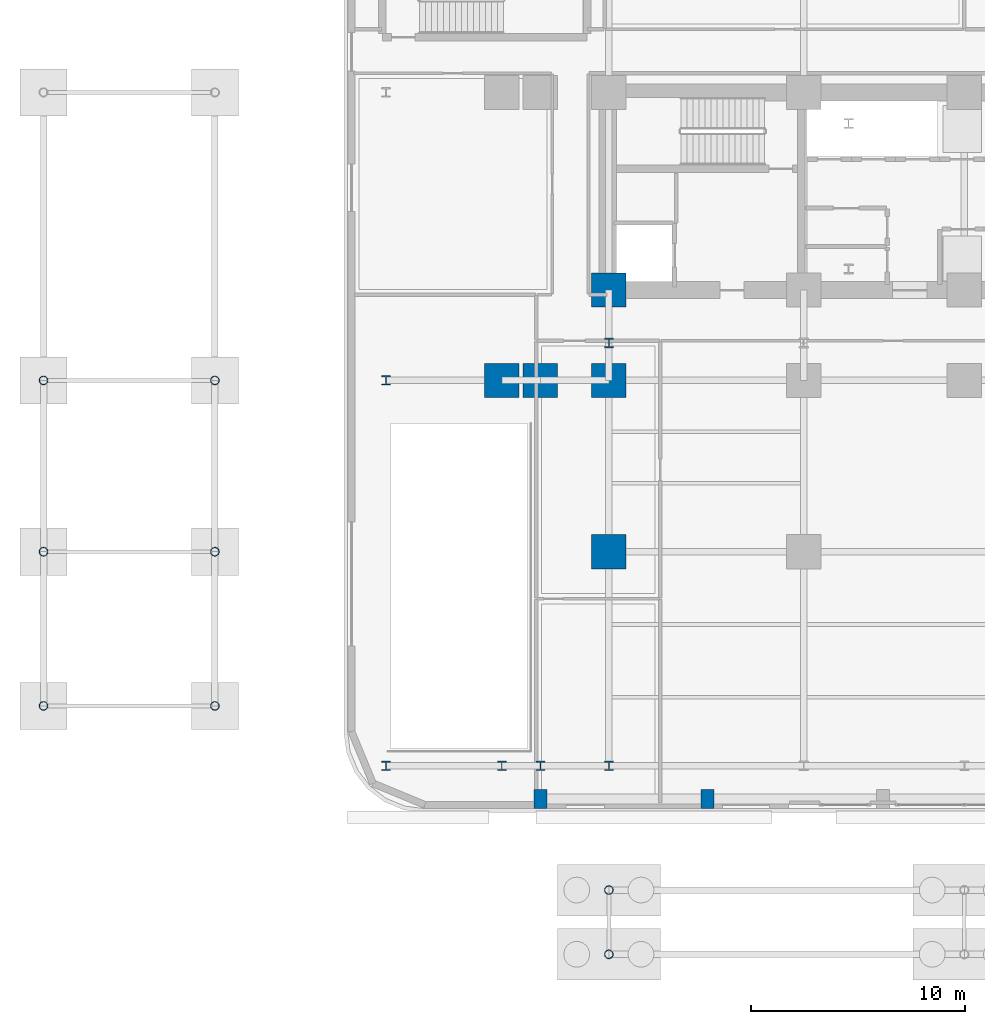
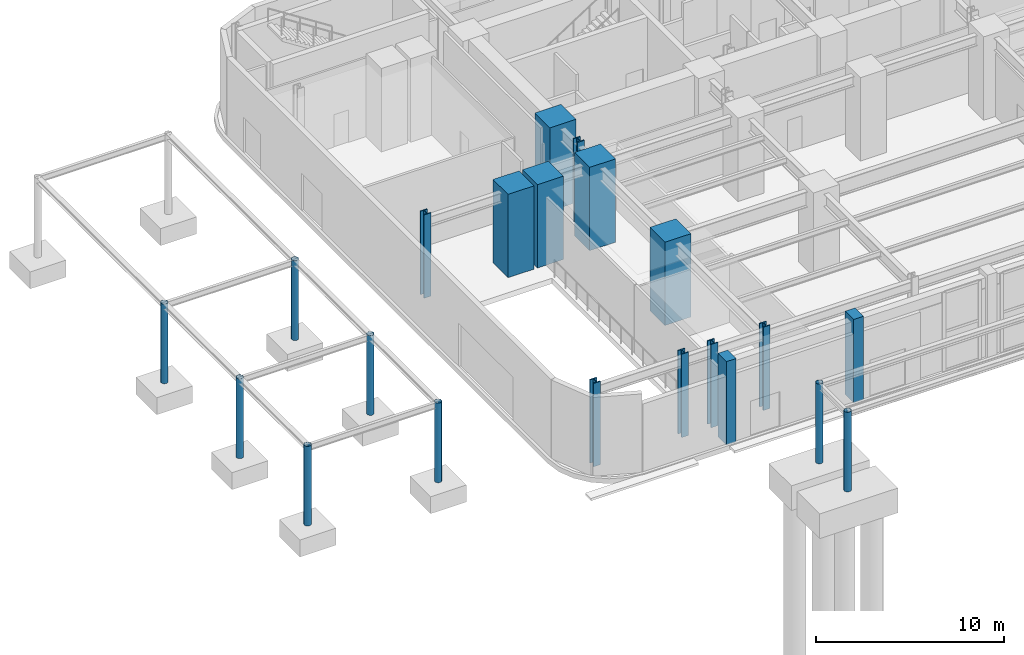
# One storey, part 2 of 21: 21 columns.
"""IFC4 building model written with IfcOpenShell, lengths in metres."""

from ifc_helpers import new_model, si_unit, direction, frame, origin, origin_2d, place, context, subcontext, project, spatial, rectangle, hollow_circle, i_section, extrude, material, material_profile, profile_set, type_object, element, save


model = new_model("IFC4")

# Units and contexts
model_context = context("Model", 3, precision=1e-05, world=origin(), true_north=direction((0.0, 1.0)))
body_context = subcontext(model_context, "Body", "Model", "MODEL_VIEW")
ifc_project = project(units=[si_unit("LENGTHUNIT", "METRE"), si_unit("AREAUNIT", "SQUARE_METRE"), si_unit("VOLUMEUNIT", "CUBIC_METRE"), si_unit("PLANEANGLEUNIT", "RADIAN"), si_unit("MASSUNIT", "GRAM", prefix="KILO")], contexts=[model_context])

# Site, building, storey
site_placement = place(None, origin())
site = spatial("IfcSite", under=ifc_project, at=site_placement, CompositionType="ELEMENT")
building_placement = place(site_placement, origin())
building = spatial("IfcBuilding", under=site, at=building_placement, Name="Zarnavel Station Tower", CompositionType="ELEMENT")
storey_placement = place(building_placement, origin())
storey = spatial("IfcBuildingStorey", under=building, at=storey_placement, Name="L01", CompositionType="ELEMENT", Elevation=0.0)

# Columns
ifc_material_1 = material(Name="Steel S355J2", Category="steel")
ifc_material_profile_1 = material_profile(ifc_material_1, hollow_circle(Radius=0.203125, WallThickness=0.01611328125, at=origin_2d()), Name="CHS406.4x16")
ifc_profile_set_1 = profile_set([ifc_material_profile_1], Name="Steel S355J2")
column_type_1 = type_object("IfcColumnType", Name="EC_CANOPY", PredefinedType="COLUMN", material=ifc_profile_set_1)
for number, where, z_axis, x_axis, name in (
    (1, (12.199951171875, -3.199951171875, 0.0), (0.0, 0.0, 1.0), (1.0, 0.0, 0.0), "L01 Station Portal Column 01"),
    (2, (12.199951171875, -0.199951171875, 0.0), (0.0, 0.0, 1.0), (1.0, 0.0, 0.0), "L01 Station Portal Column 04"),
    (3, (-6.199951171875, 8.39990234375, 0.0), (0.0, 0.0, 1.0), (1.0, 0.0, 0.0), "L01 West Forecourt Canopy Column 1-01"),
    (4, (-6.199951171875, 15.60009765625, 0.0), (0.0, 0.0, 1.0), (1.0, 0.0, 0.0), "L01 West Forecourt Canopy Column 1-02"),
    (5, (-6.199951171875, 23.60009765625, 0.0), (0.0, 0.0, 1.0), (1.0, 0.0, 0.0), "L01 West Forecourt Canopy Column 1-03"),
    (6, (-14.199951171875, 8.39990234375, 0.0), (0.0, 0.0, 1.0), (1.0, 0.0, 0.0), "L01 West Forecourt Canopy Column 2-01"),
    (7, (-14.199951171875, 15.60009765625, 0.0), (0.0, 0.0, 1.0), (1.0, 0.0, 0.0), "L01 West Forecourt Canopy Column 2-02"),
    (8, (-14.199951171875, 23.60009765625, 0.0), (0.0, 0.0, 1.0), (1.0, 0.0, 0.0), "L01 West Forecourt Canopy Column 2-03"),
):
    element("IfcColumn", number, at=place(storey_placement, frame(where, z_axis=z_axis, x_axis=x_axis)), inside=storey, type_object=column_type_1, Name=name, PredefinedType="COLUMN", context=body_context, shape_type="SweptSolid", body=[
        extrude(hollow_circle(Radius=0.203125, WallThickness=0.01611328125, at=origin_2d()), origin(), (0.0, 0.0, 1.0), 5.159912109375),
    ])
ifc_material_2 = material(Name="Steel S460M", Category="steel")
ifc_material_profile_2 = material_profile(ifc_material_2, i_section(OverallWidth=0.424072265625, OverallDepth=0.449951171875, WebThickness=0.041015625, FlangeThickness=0.06494140625, FilletRadius=0.014892578125, at=origin_2d()), Name="HD400x509")
ifc_profile_set_2 = profile_set([ifc_material_profile_2], Name="Steel S460M")
column_type_2 = type_object("IfcColumnType", Name="EC_HD509", PredefinedType="COLUMN", material=ifc_profile_set_2)
for number, where, z_axis, x_axis, name in (
    (9, (1.800048828125, 5.60009765625, 0.0), (0.0, 0.0, 1.0), (1.0, 0.0, 0.0), "L01 Perimeter Column 1-1"),
    (10, (1.800048828125, 23.60009765625, 0.0), (0.0, 0.0, 1.0), (1.0, 0.0, 0.0), "L01 Perimeter Column 1-3"),
    (11, (7.199951171875, 5.60009765625, 0.0), (0.0, 0.0, 1.0), (1.0, 0.0, 0.0), "L01 Perimeter Column 2-1"),
    (12, (9.0, 5.60009765625, 0.0), (0.0, 0.0, 1.0), (1.0, 0.0, 0.0), "L01 Perimeter Column 3-1"),
    (13, (12.199951171875, 5.60009765625, 0.0), (0.0, 0.0, 1.0), (1.0, 0.0, 0.0), "L01 Perimeter Column 4-1"),
):
    element("IfcColumn", number, at=place(storey_placement, frame(where, z_axis=z_axis, x_axis=x_axis)), inside=storey, type_object=column_type_2, Name=name, PredefinedType="COLUMN", context=body_context, shape_type="SweptSolid", body=[
        extrude(i_section(OverallWidth=0.424072265625, OverallDepth=0.449951171875, WebThickness=0.041015625, FlangeThickness=0.06494140625, FilletRadius=0.014892578125, at=origin_2d()), origin(), (0.0, 0.0, 1.0), 5.39990234375),
    ])
ifc_material_3 = material(Name="Steel S460M", Category="steel")
ifc_material_profile_3 = material_profile(ifc_material_3, i_section(OverallWidth=0.427978515625, OverallDepth=0.465087890625, WebThickness=0.044921875, FlangeThickness=0.072998046875, FilletRadius=0.014892578125, at=origin_2d()), Name="HD400x592")
ifc_profile_set_3 = profile_set([ifc_material_profile_3], Name="Steel S460M")
column_type_3 = type_object("IfcColumnType", Name="IC_HD592", PredefinedType="COLUMN", material=ifc_profile_set_3)
column_placement = place(storey_placement, frame((12.199951171875, 25.35009765625, 0.0), z_axis=(0.0, 0.0, 1.0), x_axis=(1.0, 0.0, 0.0)))
element("IfcColumn", 14, at=column_placement, inside=storey, type_object=column_type_3, Name="L01 Inner Spine Column 1", PredefinedType="COLUMN", context=body_context, shape_type="SweptSolid", body=[
    extrude(i_section(OverallWidth=0.427978515625, OverallDepth=0.465087890625, WebThickness=0.044921875, FlangeThickness=0.072998046875, FilletRadius=0.014892578125, at=origin_2d()), origin(), (0.0, 0.0, 1.0), 5.39990234375),
])
ifc_material_4 = material(Name="Concrete C60/75", Category="concrete")
ifc_material_profile_4 = material_profile(ifc_material_4, rectangle(XDim=1.60009765625, YDim=1.60009765625, at=origin_2d()), Name="RC1600x1600")
ifc_profile_set_4 = profile_set([ifc_material_profile_4], Name="Concrete C60/75")
column_type_4 = type_object("IfcColumnType", Name="IC_RC1600", PredefinedType="COLUMN", material=ifc_profile_set_4)
for number, where, z_axis, x_axis, name in (
    (15, (12.199951171875, 27.820068359375, 0.0), (0.0, 0.0, 1.0), (1.0, 0.0, 0.0), "L01 Core Spine Column 1-1"),
    (16, (7.199951171875, 23.60009765625, 0.0), (0.0, 0.0, 1.0), (1.0, 0.0, 0.0), "L01 Podium Column 2-3"),
    (17, (9.0, 23.60009765625, 0.0), (0.0, 0.0, 1.0), (1.0, 0.0, 0.0), "L01 Podium Column 3-3"),
    (18, (12.199951171875, 15.60009765625, 0.0), (0.0, 0.0, 1.0), (1.0, 0.0, 0.0), "L01 Podium Column 4-2"),
    (19, (12.199951171875, 23.60009765625, 0.0), (0.0, 0.0, 1.0), (1.0, 0.0, 0.0), "L01 Podium Column 4-3"),
):
    element("IfcColumn", number, at=place(storey_placement, frame(where, z_axis=z_axis, x_axis=x_axis)), inside=storey, type_object=column_type_4, Name=name, PredefinedType="COLUMN", context=body_context, shape_type="SweptSolid", body=[
        extrude(rectangle(XDim=1.60009765625, YDim=1.60009765625, at=origin_2d()), origin(), (0.0, 0.0, 1.0), 5.39990234375),
    ])
ifc_material_5 = material(Name="Precast concrete C45/55", Category="concrete")
ifc_material_profile_5 = material_profile(ifc_material_5, rectangle(XDim=0.60009765625, YDim=0.89990234375, at=origin_2d()), Name="RC600x900")
ifc_profile_set_5 = profile_set([ifc_material_profile_5], Name="Precast concrete C45/55")
column_type_5 = type_object("IfcColumnType", Name="PL_BASALT", PredefinedType="PILASTER", material=ifc_profile_set_5)
for number, where, z_axis, x_axis, name in (
    (20, (9.0, 4.050048828125, 0.0), (0.0, 0.0, 1.0), (1.0, 0.0, 0.0), "L01 Basalt Facade Pilaster S1"),
    (21, (16.800048828125, 4.050048828125, 0.0), (0.0, 0.0, 1.0), (1.0, 0.0, 0.0), "L01 Basalt Facade Pilaster S2"),
):
    element("IfcColumn", number, at=place(storey_placement, frame(where, z_axis=z_axis, x_axis=x_axis)), inside=storey, type_object=column_type_5, Name=name, PredefinedType="PILASTER", context=body_context, shape_type="SweptSolid", body=[
        extrude(rectangle(XDim=0.60009765625, YDim=0.89990234375, at=origin_2d()), origin(), (0.0, 0.0, 1.0), 5.39990234375),
    ])

save(model, "model.ifc")
